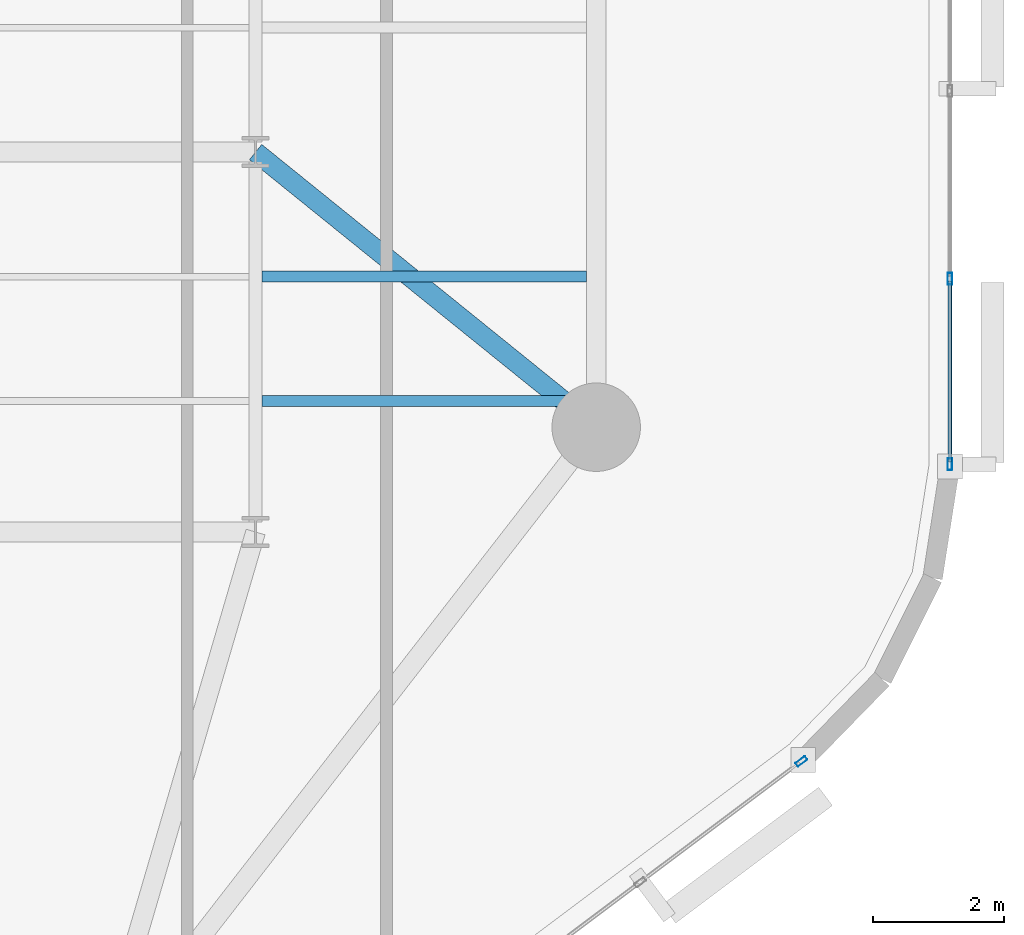
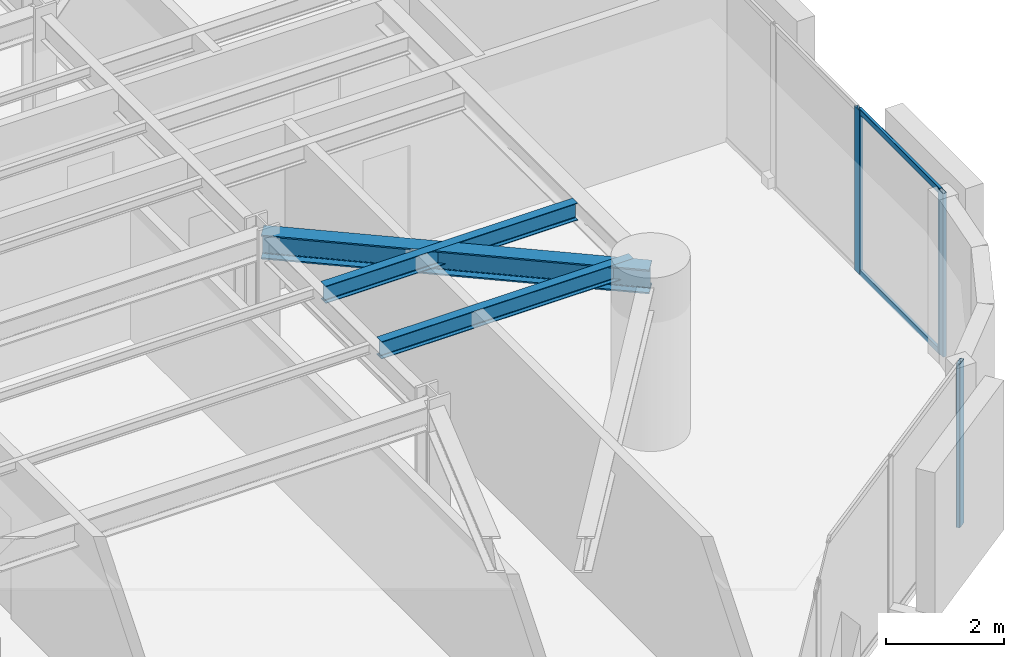
# One storey, part 4 of 16: 5 members, 3 beams, 2 elements without a shape of their own.
"""IFC4 building model written with IfcOpenShell, lengths in metres."""

from ifc_helpers import new_model, si_unit, direction, frame, origin, origin_2d, place, context, subcontext, project, spatial, hollow_rectangle, i_section, extrude, material, layer, layer_set, material_profile, profile_set, type_object, element, aggregate, save


model = new_model("IFC4")

# Units and contexts
model_context = context("Model", 3, precision=1e-05, world=origin(), true_north=direction((0.0, 1.0)))
body_context = subcontext(model_context, "Body", "Model", "MODEL_VIEW")
ifc_project = project(units=[si_unit("LENGTHUNIT", "METRE"), si_unit("AREAUNIT", "SQUARE_METRE"), si_unit("VOLUMEUNIT", "CUBIC_METRE"), si_unit("PLANEANGLEUNIT", "RADIAN"), si_unit("MASSUNIT", "GRAM", prefix="KILO")], contexts=[model_context])

# Site, building, storey
site_placement = place(None, origin())
site = spatial("IfcSite", under=ifc_project, at=site_placement, CompositionType="ELEMENT")
building_placement = place(site_placement, origin())
building = spatial("IfcBuilding", under=site, at=building_placement, Name="An Khanh Terracotta Commons", CompositionType="ELEMENT")
storey_placement = place(building_placement, frame((0.0, 0.0, 111.5)))
storey = spatial("IfcBuildingStorey", under=building, at=storey_placement, Name="L29", CompositionType="ELEMENT", Elevation=111.5)

# Beams
ifc_material_1 = material(Name="Steel S355J2", Category="steel")
ifc_material_profile_1 = material_profile(ifc_material_1, i_section(OverallWidth=0.300048828125, OverallDepth=0.5, WebThickness=0.014404296875, FlangeThickness=0.028076171875, FilletRadius=0.027099609375, at=origin_2d()), Name="HEB500")
ifc_profile_set_1 = profile_set([ifc_material_profile_1], Name="Steel S355J2")
beam_type_1 = type_object("IfcBeamType", Name="BM-HEB500", PredefinedType="BEAM", material=ifc_profile_set_1)
beam_placement = place(storey_placement, frame((52.0, 16.0, 3.14990234375), z_axis=(-0.777941866883, 0.628336256913, 0.0), x_axis=(-0.628336256913, -0.777941866883, 0.0)))
element("IfcBeam", 1, at=beam_placement, inside=storey, type_object=beam_type_1, Name="L29 Mega-Column Tie Girder 3", PredefinedType="BEAM", context=body_context, shape_type="SweptSolid", body=[
    extrude(i_section(OverallWidth=0.300048828125, OverallDepth=0.5, WebThickness=0.014404296875, FlangeThickness=0.028076171875, FilletRadius=0.027099609375, at=origin_2d()), origin(), (0.0, 0.0, 1.0), 6.684326171875),
])
ifc_material_profile_2 = material_profile(ifc_material_1, i_section(OverallWidth=0.169921875, OverallDepth=0.360107421875, WebThickness=0.008056640625, FlangeThickness=0.0126953125, FilletRadius=0.01806640625, at=origin_2d()), Name="IPE360")
ifc_profile_set_2 = profile_set([ifc_material_profile_2], Name="Steel S355J2")
beam_type_2 = type_object("IfcBeamType", Name="BM-IPE360", PredefinedType="JOIST", material=ifc_profile_set_2)
for number, where, z_axis, x_axis, name in (
    (2, (46.89990234375, 16.39990234375, 3.219970703125), (1.0, 0.0, 0.0), (0.0, 1.0, 0.0), "L29 Riverfront Composite Joist 1"),
    (3, (46.89990234375, 18.300048828125, 3.219970703125), (1.0, 0.0, 0.0), (0.0, 1.0, 0.0), "L29 Riverfront Composite Joist 2"),
):
    element("IfcBeam", number, at=place(storey_placement, frame(where, z_axis=z_axis, x_axis=x_axis)), inside=storey, type_object=beam_type_2, Name=name, PredefinedType="JOIST", context=body_context, shape_type="SweptSolid", body=[
        extrude(i_section(OverallWidth=0.169921875, OverallDepth=0.360107421875, WebThickness=0.008056640625, FlangeThickness=0.0126953125, FilletRadius=0.01806640625, at=origin_2d()), origin(), (0.0, 0.0, 1.0), 4.9501953125),
    ])

# Curtain wall, member
ifc_material_2 = material(Name="Anodised Aluminium 6063-T6", Category="aluminium")
ifc_layer = layer(ifc_material_2, 0.199951171875, Name="Anodised Aluminium 6063-T6")
ifc_layer_set = layer_set([ifc_layer], Name="Anodised Aluminium 6063-T6")
curtain_wall_type = type_object("IfcCurtainWallType", Name="CW-SYS-02", PredefinedType="USERDEFINED", material=ifc_layer_set)
curtain_wall_1_placement = place(storey_placement, origin())
curtain_wall_1 = element("IfcCurtainWall", 4, at=curtain_wall_1_placement, inside=storey, type_object=curtain_wall_type, Name="L29 CW-02 Unitised Curtain Wall CW-L29-08", ObjectType="UNITISED CURTAIN WALL", PredefinedType="USERDEFINED")
ifc_material_profile_3 = material_profile(ifc_material_2, hollow_rectangle(XDim=0.070068359375, YDim=0.179931640625, WallThickness=0.00390625, InnerFilletRadius=0.00390625, OuterFilletRadius=0.008056640625, at=origin_2d()), Name="RHS180x70x4")
ifc_profile_set_3 = profile_set([ifc_material_profile_3], Name="Anodised Aluminium 6063-T6")
member_type_1 = type_object("IfcMemberType", Name="CWM-RHS180x70x4", PredefinedType="MULLION", material=ifc_profile_set_3)
member_1_placement = place(storey_placement, frame((55.132080078125, 10.89892578125, 0.0), z_axis=(0.0, 0.0, 1.0), x_axis=(-0.599982857492, 0.800012856594, 0.0)))
member_1 = element("IfcMember", 5, at=member_1_placement, type_object=member_type_1, Name="CW-02 mullion 4", PredefinedType="MULLION", context=body_context, shape_type="SweptSolid", body=[
    extrude(hollow_rectangle(XDim=0.070068359375, YDim=0.179931640625, WallThickness=0.00390625, InnerFilletRadius=0.00390625, OuterFilletRadius=0.008056640625, at=origin_2d()), origin(), (0.0, 0.0, 1.0), 3.39990234375),
])
aggregate(curtain_wall_1, [member_1])

# Curtain wall, members
curtain_wall_2_placement = place(storey_placement, origin())
curtain_wall_2 = element("IfcCurtainWall", 6, at=curtain_wall_2_placement, inside=storey, type_object=curtain_wall_type, Name="L29 CW-02 Unitised Curtain Wall CW-L29-12", ObjectType="UNITISED CURTAIN WALL", PredefinedType="USERDEFINED")
member_2_placement = place(storey_placement, frame((57.39990234375, 15.43505859375, 0.0), z_axis=(0.0, 0.0, 1.0), x_axis=(-1.0, 0.0, 0.0)))
member_2 = element("IfcMember", 7, at=member_2_placement, type_object=member_type_1, Name="CW-02 mullion 1", PredefinedType="MULLION", context=body_context, shape_type="SweptSolid", body=[
    extrude(hollow_rectangle(XDim=0.070068359375, YDim=0.179931640625, WallThickness=0.00390625, InnerFilletRadius=0.00390625, OuterFilletRadius=0.008056640625, at=origin_2d()), origin(), (0.0, 0.0, 1.0), 3.39990234375),
])
member_3_placement = place(storey_placement, frame((57.39990234375, 18.2666015625, 0.0), z_axis=(0.0, 0.0, 1.0), x_axis=(-1.0, 0.0, 0.0)))
member_3 = element("IfcMember", 8, at=member_3_placement, type_object=member_type_1, Name="CW-02 mullion 2", PredefinedType="MULLION", context=body_context, shape_type="SweptSolid", body=[
    extrude(hollow_rectangle(XDim=0.070068359375, YDim=0.179931640625, WallThickness=0.00390625, InnerFilletRadius=0.00390625, OuterFilletRadius=0.008056640625, at=origin_2d()), origin(), (0.0, 0.0, 1.0), 3.39990234375),
])
ifc_material_profile_4 = material_profile(ifc_material_2, hollow_rectangle(XDim=0.06005859375, YDim=0.1201171875, WallThickness=0.003662109375, InnerFilletRadius=0.003662109375, OuterFilletRadius=0.007080078125, at=origin_2d()), Name="RHS120x60x3.6")
ifc_profile_set_4 = profile_set([ifc_material_profile_4], Name="Anodised Aluminium 6063-T6")
member_type_2 = type_object("IfcMemberType", Name="CWT-RHS120x60x3.6", PredefinedType="USERDEFINED", material=ifc_profile_set_4)
member_4_placement = place(storey_placement, frame((57.39990234375, 15.469970703125, 0.030029296875), z_axis=(0.0, 1.0, 0.0), x_axis=(-1.0, 0.0, 0.0)))
member_4 = element("IfcMember", 9, at=member_4_placement, type_object=member_type_2, Name="CW-02 transom 1.1", ObjectType="TRANSOM", PredefinedType="USERDEFINED", context=body_context, shape_type="SweptSolid", body=[
    extrude(hollow_rectangle(XDim=0.06005859375, YDim=0.1201171875, WallThickness=0.003662109375, InnerFilletRadius=0.003662109375, OuterFilletRadius=0.007080078125, at=origin_2d()), origin(), (0.0, 0.0, 1.0), 2.76171875),
])
member_5_placement = place(storey_placement, frame((57.39990234375, 15.469970703125, 3.3701171875), z_axis=(0.0, 1.0, 0.0), x_axis=(-1.0, 0.0, 0.0)))
member_5 = element("IfcMember", 10, at=member_5_placement, type_object=member_type_2, Name="CW-02 transom 1.2", ObjectType="TRANSOM", PredefinedType="USERDEFINED", context=body_context, shape_type="SweptSolid", body=[
    extrude(hollow_rectangle(XDim=0.06005859375, YDim=0.1201171875, WallThickness=0.003662109375, InnerFilletRadius=0.003662109375, OuterFilletRadius=0.007080078125, at=origin_2d()), origin(), (0.0, 0.0, 1.0), 2.76171875),
])
aggregate(curtain_wall_2, [member_2, member_3, member_4, member_5])

save(model, "model.ifc")
